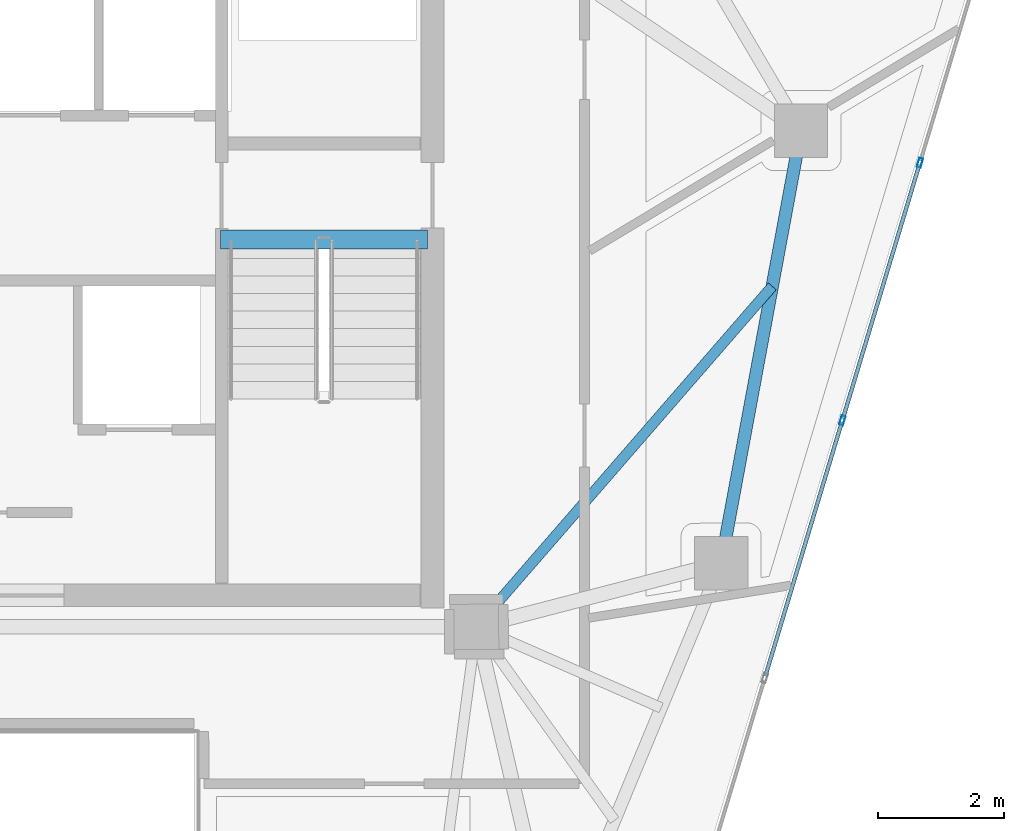
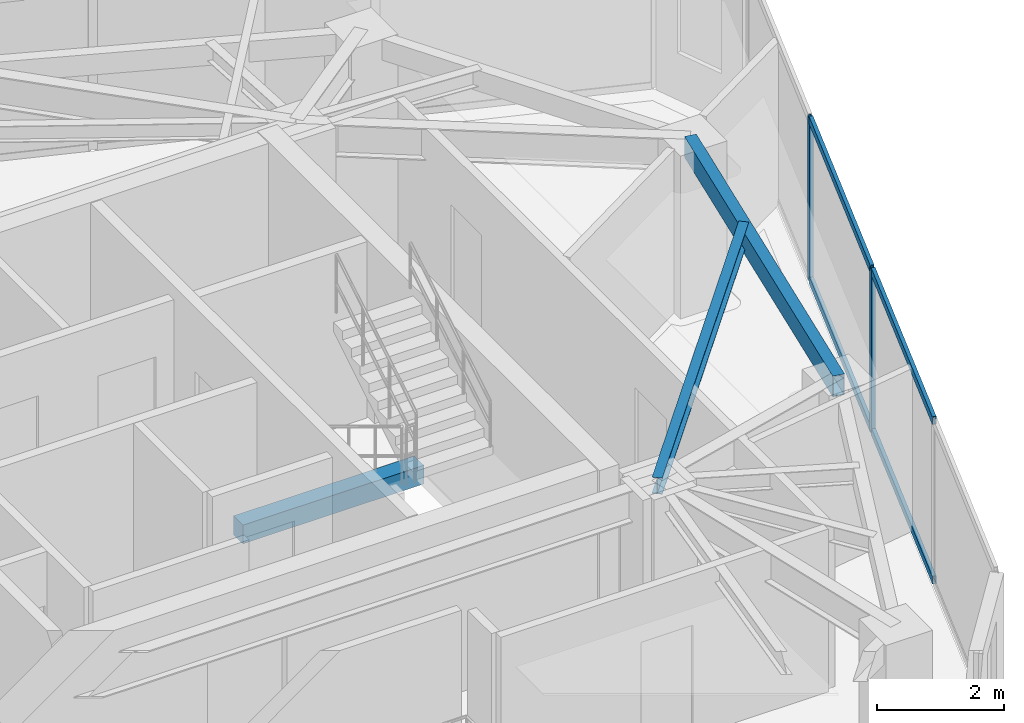
# One storey, part 12 of 20: 6 members, 3 beams, 1 element without a shape of its own.
"""IFC4 building model written with IfcOpenShell, lengths in metres."""

from ifc_helpers import new_model, si_unit, direction, frame, origin, origin_2d, place, context, subcontext, project, spatial, rectangle, hollow_rectangle, i_section, extrude, source, transform, mapped, material, layer, layer_set, material_profile, profile_set, type_object, type_shapes, element, aggregate, save


model = new_model("IFC4")

# Units and contexts
model_context = context("Model", 3, precision=1e-05, world=origin(), true_north=direction((0.0, 1.0)))
body_context = subcontext(model_context, "Body", "Model", "MODEL_VIEW")
ifc_project = project(units=[si_unit("LENGTHUNIT", "METRE"), si_unit("AREAUNIT", "SQUARE_METRE"), si_unit("VOLUMEUNIT", "CUBIC_METRE"), si_unit("PLANEANGLEUNIT", "RADIAN"), si_unit("MASSUNIT", "GRAM", prefix="KILO")], contexts=[model_context])

# Site, building, storey
site_placement = place(None, origin())
site = spatial("IfcSite", under=ifc_project, at=site_placement, CompositionType="ELEMENT")
building_placement = place(site_placement, origin())
building = spatial("IfcBuilding", under=site, at=building_placement, Name="Talar Marvaseh", CompositionType="ELEMENT")
storey_placement = place(building_placement, frame((0.0, 0.0, 257.800048828125)))
storey = spatial("IfcBuildingStorey", under=building, at=storey_placement, Name="L68", CompositionType="ELEMENT", Elevation=257.800048828125)

# Beams
ifc_material_1 = material(Name="Concrete C40/50", Category="concrete")
ifc_material_profile_1 = material_profile(ifc_material_1, rectangle(XDim=0.300048828125, YDim=0.360107421875, at=origin_2d()), Name="RC300x360")
ifc_profile_set_1 = profile_set([ifc_material_profile_1], Name="Concrete C40/50")
beam_type_1 = type_object("IfcBeamType", Name="Concrete Stair Landing Trimmer Beam RC300x360", PredefinedType="SPANDREL", material=ifc_profile_set_1)
beam_1_placement = place(storey_placement, frame((29.219970703125, 31.669921875, -0.179931640625), z_axis=(1.0, 0.0, 0.0), x_axis=(0.0, 1.0, 0.0)))
element("IfcBeam", 1, at=beam_1_placement, inside=storey, type_object=beam_type_1, Name="L68 ST-2 Stair Nosing Trimmer Beam", PredefinedType="SPANDREL", context=body_context, shape_type="SweptSolid", body=[
    extrude(rectangle(XDim=0.300048828125, YDim=0.360107421875, at=origin_2d()), origin(), (0.0, 0.0, 1.0), 3.300048828125),
])
ifc_material_2 = material(Name="Steel S355", Category="steel")
ifc_material_profile_2 = material_profile(ifc_material_2, hollow_rectangle(XDim=0.199951171875, YDim=0.39990234375, WallThickness=0.013916015625, at=origin_2d()), Name="RHS400x200x14")
ifc_profile_set_2 = profile_set([ifc_material_profile_2], Name="Steel S355")
beam_type_2 = type_object("IfcBeamType", Name="Zone 3 Perimeter Spandrel Beam RHS400x200x14", PredefinedType="SPANDREL", material=ifc_profile_set_2)
beam_2_placement = place(storey_placement, frame((38.470947265625, 33.406005859375, 2.93994140625), z_axis=(-0.181759950929, -0.983342931148, 0.0), x_axis=(0.983342931148, -0.181759950929, 0.0)))
element("IfcBeam", 2, at=beam_2_placement, inside=storey, type_object=beam_type_2, Name="L68 Zone 3 Perimeter Spandrel Beam RHS400x200x14", PredefinedType="SPANDREL", context=body_context, shape_type="SweptSolid", body=[
    extrude(hollow_rectangle(XDim=0.199951171875, YDim=0.39990234375, WallThickness=0.013916015625, at=origin_2d()), origin(), (0.0, 0.0, 1.0), 7.0087890625),
])
ifc_material_profile_3 = material_profile(ifc_material_2, i_section(OverallWidth=0.166015625, OverallDepth=0.31298828125, WebThickness=0.006591796875, FlangeThickness=0.01123046875, at=origin_2d()), Name="W310x45")
ifc_profile_set_3 = profile_set([ifc_material_profile_3], Name="Steel S355")
beam_type_3 = type_object("IfcBeamType", Name="Zone 3 Secondary Floor Joist W310x45", PredefinedType="JOIST", material=ifc_profile_set_3)
beam_3_placement = place(storey_placement, frame((38.012451171875, 30.9248046875, 2.9833984375), z_axis=(-0.655796743858, -0.754937501218, 0.0), x_axis=(0.754937501218, -0.655796743858, 0.0)))
element("IfcBeam", 3, at=beam_3_placement, inside=storey, type_object=beam_type_3, Name="L68 Zone 3 Secondary Floor Joist W310x45", PredefinedType="JOIST", context=body_context, shape_type="SweptSolid", body=[
    extrude(i_section(OverallWidth=0.166015625, OverallDepth=0.31298828125, WebThickness=0.006591796875, FlangeThickness=0.01123046875, at=origin_2d()), origin(), (0.0, 0.0, 1.0), 7.185791015625),
])

# Curtain wall, members
ifc_material_3 = material(Name="Architectural Aluminium", Category="aluminium")
ifc_layer = layer(ifc_material_3, 0.179931640625)
ifc_layer_set = layer_set([ifc_layer], Name="Architectural Aluminium")
curtain_wall_type = type_object("IfcCurtainWallType", Name="Unitised High-Wind Sky Curtain Wall Z4", PredefinedType="NOTDEFINED", material=ifc_layer_set)
curtain_wall_placement = place(storey_placement, origin())
curtain_wall = element("IfcCurtainWall", 4, at=curtain_wall_placement, inside=storey, type_object=curtain_wall_type, Name="L68 Unitised High-Wind Sky Curtain Wall Z4", PredefinedType="NOTDEFINED")
ifc_material_profile_4 = material_profile(ifc_material_3, hollow_rectangle(XDim=0.06494140625, YDim=0.14990234375, WallThickness=0.00390625, at=origin_2d()), Name="RHS150x65x4")
ifc_profile_set_4 = profile_set([ifc_material_profile_4], Name="Architectural Aluminium")
member_type_1 = type_object("IfcMemberType", Name="Unitised Curtain Wall Slim Mullion RHS150x65x4", PredefinedType="MULLION", material=ifc_profile_set_4)
shared_shape_1 = source(origin(), body_context, "Body", "SweptSolid", [
    extrude(hollow_rectangle(XDim=0.06494140625, YDim=0.14990234375, WallThickness=0.00390625, at=origin_2d()), origin(), (0.0, 0.0, 1.0), 3.139892578125),
])
type_shapes(member_type_1, [shared_shape_1])
member_1_placement = place(storey_placement, frame((40.364990234375, 32.892578125, 0.0), z_axis=(0.0, 0.0, 1.0), x_axis=(0.957526215299, -0.288346227677, 0.0)))
member_1 = element("IfcMember", 5, at=member_1_placement, type_object=member_type_1, Name="CW-Z4 mullion 2", PredefinedType="MULLION", context=body_context, shape_type="MappedRepresentation", body=[
    mapped(shared_shape_1, transform((0.0, 0.0, 0.0), x_axis=(1.0, 0.0, 0.0), y_axis=(0.0, 1.0, 0.0), z_axis=(0.0, 0.0, 1.0), scale=1.0)),
])
member_2_placement = place(storey_placement, frame((39.12890625, 28.788330078125, 0.0), z_axis=(0.0, 0.0, 1.0), x_axis=(0.957526215299, -0.288346227677, 0.0)))
member_2 = element("IfcMember", 6, at=member_2_placement, type_object=member_type_1, Name="CW-Z4 mullion 3", PredefinedType="MULLION", context=body_context, shape_type="MappedRepresentation", body=[
    mapped(shared_shape_1, transform((0.0, 0.0, 0.0), x_axis=(1.0, 0.0, 0.0), y_axis=(0.0, 1.0, 0.0), z_axis=(0.0, 0.0, 1.0), scale=1.0)),
])
ifc_material_profile_5 = material_profile(ifc_material_3, hollow_rectangle(XDim=0.06494140625, YDim=0.14990234375, WallThickness=0.00390625, at=origin_2d()), Name="RHS150x65x4")
ifc_profile_set_5 = profile_set([ifc_material_profile_5], Name="Architectural Aluminium")
member_type_2 = type_object("IfcMemberType", Name="Unitised Curtain Wall Slim Transom RHS150x65x4", PredefinedType="USERDEFINED", material=ifc_profile_set_5)
shared_shape_2 = source(origin(), body_context, "Body", "SweptSolid", [
    extrude(hollow_rectangle(XDim=0.06494140625, YDim=0.14990234375, WallThickness=0.00390625, at=origin_2d()), origin(), (0.0, 0.0, 1.0), 4.22119140625),
])
type_shapes(member_type_2, [shared_shape_2])
member_3_placement = place(storey_placement, frame((40.35546875, 32.861572265625, 0.032470703125), z_axis=(-0.288313444836, -0.957536086801, 0.0), x_axis=(0.957536086801, -0.288313444836, 0.0)))
member_3 = element("IfcMember", 7, at=member_3_placement, type_object=member_type_2, Name="CW-Z4 transom 2.1", ObjectType="TRANSOM", PredefinedType="USERDEFINED", context=body_context, shape_type="MappedRepresentation", body=[
    mapped(shared_shape_2, transform((0.0, 0.0, 0.0), x_axis=(1.0, 0.0, 0.0), y_axis=(0.0, 1.0, 0.0), z_axis=(0.0, 0.0, 1.0), scale=1.0)),
])
member_4_placement = place(storey_placement, frame((40.35546875, 32.861572265625, 3.107421875), z_axis=(-0.288313444836, -0.957536086801, 0.0), x_axis=(0.957536086801, -0.288313444836, 0.0)))
member_4 = element("IfcMember", 8, at=member_4_placement, type_object=member_type_2, Name="CW-Z4 transom 2.2", ObjectType="TRANSOM", PredefinedType="USERDEFINED", context=body_context, shape_type="MappedRepresentation", body=[
    mapped(shared_shape_2, transform((0.0, 0.0, 0.0), x_axis=(1.0, 0.0, 0.0), y_axis=(0.0, 1.0, 0.0), z_axis=(0.0, 0.0, 1.0), scale=1.0)),
])
member_5_placement = place(storey_placement, frame((39.11962890625, 28.75732421875, 0.032470703125), z_axis=(-0.288366472094, -0.95752011873, 0.0), x_axis=(0.95752011873, -0.288366472094, 0.0)))
member_5 = element("IfcMember", 9, at=member_5_placement, type_object=member_type_2, Name="CW-Z4 transom 3.1", ObjectType="TRANSOM", PredefinedType="USERDEFINED", context=body_context, shape_type="MappedRepresentation", body=[
    mapped(shared_shape_2, transform((0.0, 0.0, 0.0), x_axis=(1.0, 0.0, 0.0), y_axis=(0.0, 1.0, 0.0), z_axis=(0.0, 0.0, 1.0), scale=1.0)),
])
member_6_placement = place(storey_placement, frame((39.11962890625, 28.75732421875, 3.107421875), z_axis=(-0.288366472094, -0.95752011873, 0.0), x_axis=(0.95752011873, -0.288366472094, 0.0)))
member_6 = element("IfcMember", 10, at=member_6_placement, type_object=member_type_2, Name="CW-Z4 transom 3.2", ObjectType="TRANSOM", PredefinedType="USERDEFINED", context=body_context, shape_type="MappedRepresentation", body=[
    mapped(shared_shape_2, transform((0.0, 0.0, 0.0), x_axis=(1.0, 0.0, 0.0), y_axis=(0.0, 1.0, 0.0), z_axis=(0.0, 0.0, 1.0), scale=1.0)),
])
aggregate(curtain_wall, [member_1, member_2, member_3, member_4, member_5, member_6])

save(model, "model.ifc")
